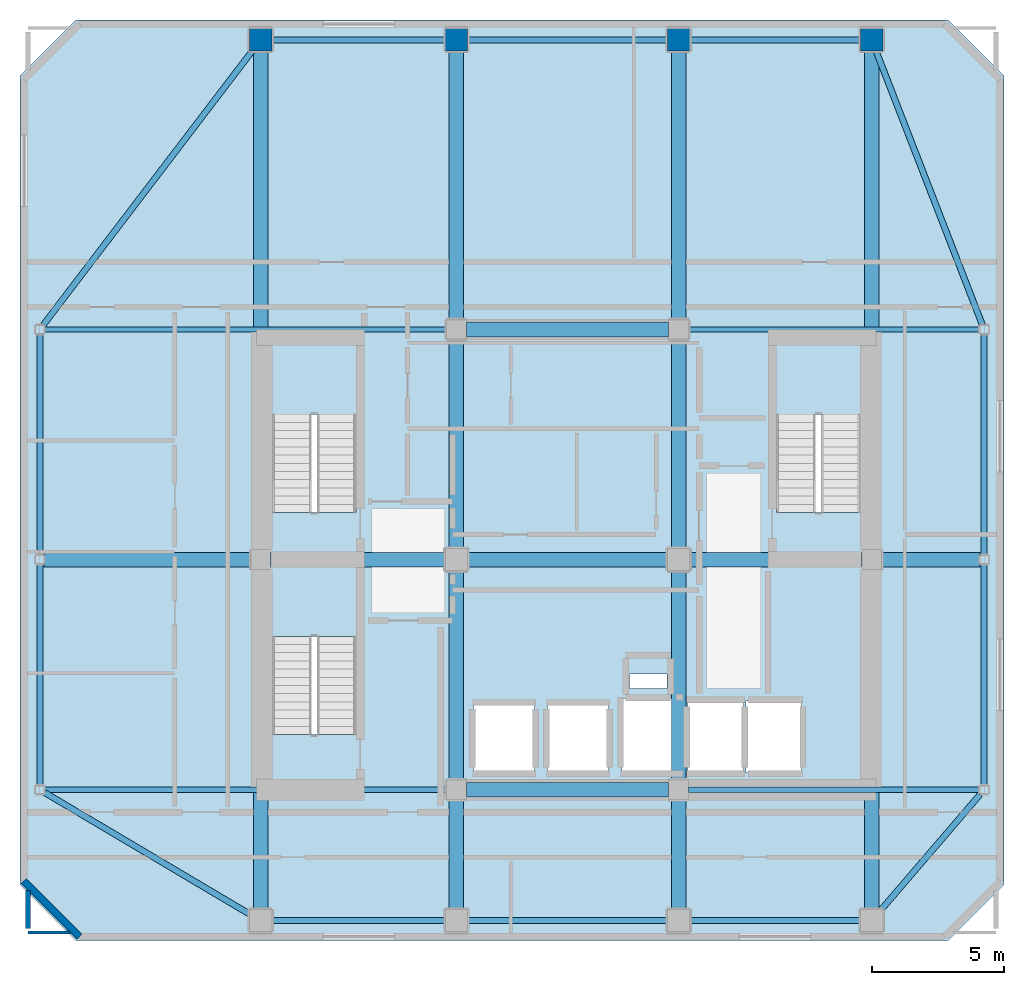
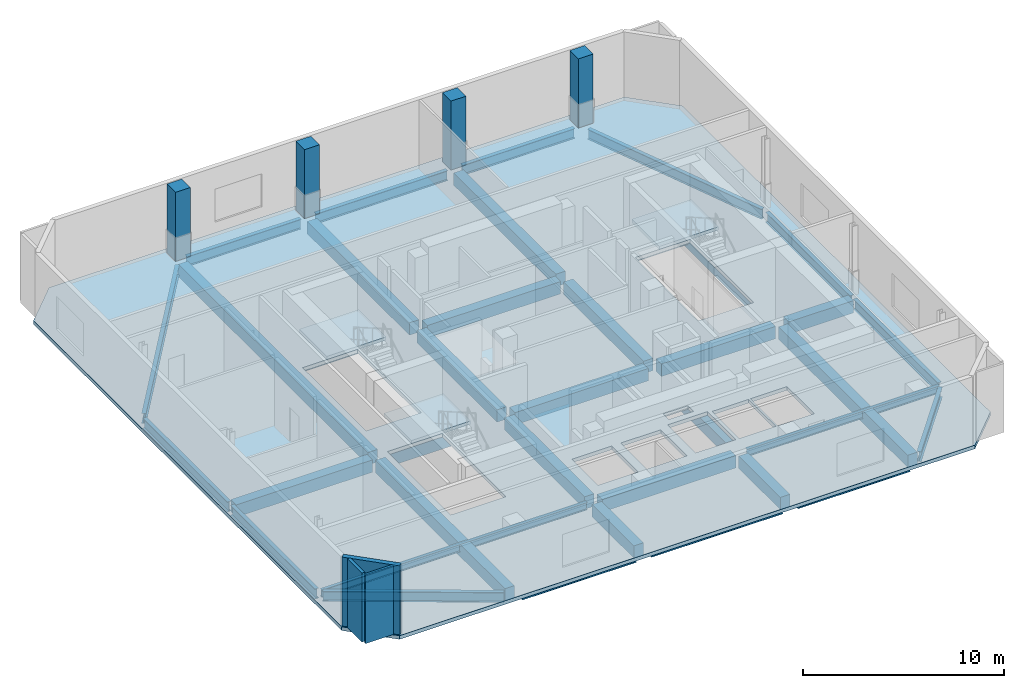
# One storey, part 3 of 9: 37 beams, 4 columns, 4 slabs, 3 walls, 3 elements without a shape of their own.
"""IFC4 building model written with IfcOpenShell, lengths in metres."""

from ifc_helpers import new_model, si_unit, direction, frame, frame_2d, origin, origin_2d, place, context, subcontext, project, spatial, polyline, rectangle, i_section, outline, extrude, material, layer, layer_set, material_profile, profile_set, type_object, element, aggregate, save


model = new_model("IFC4")

# Units and contexts
model_context = context("Model", 3, precision=1e-05, world=origin(), true_north=direction((0.0, 1.0)))
body_context = subcontext(model_context, "Body", "Model", "MODEL_VIEW")
ifc_project = project(units=[si_unit("LENGTHUNIT", "METRE"), si_unit("AREAUNIT", "SQUARE_METRE"), si_unit("VOLUMEUNIT", "CUBIC_METRE"), si_unit("PLANEANGLEUNIT", "RADIAN"), si_unit("MASSUNIT", "GRAM", prefix="KILO")], contexts=[model_context])

# Site, building, storey
site_placement = place(None, origin())
site = spatial("IfcSite", under=ifc_project, at=site_placement, CompositionType="ELEMENT")
building_placement = place(site_placement, origin())
building = spatial("IfcBuilding", under=site, at=building_placement, Name="Solanera Arch Residences", CompositionType="ELEMENT")
storey_placement = place(building_placement, frame((0.0, 0.0, 273.47998046875)))
storey = spatial("IfcBuildingStorey", under=building, at=storey_placement, Name="L79", CompositionType="ELEMENT", Elevation=273.47998046875)

# Columns
ifc_material_1 = material(Name="Concrete C40/50 (f'c = 45 MPa)", Category="concrete")
ifc_material_profile_1 = material_profile(ifc_material_1, rectangle(XDim=0.85009765625, YDim=0.85009765625, at=origin_2d()))
ifc_profile_set_1 = profile_set([ifc_material_profile_1], Name="Concrete C40/50 (f'c = 45 MPa)")
column_type = type_object("IfcColumnType", Name="Structural Column RC-COL-850X850", PredefinedType="COLUMN", material=ifc_profile_set_1)
for number, where, z_axis, x_axis, name in (
    (1, (13.39990234375, 50.35009765625, 0.0), (0.0, 0.0, 1.0), (1.0, 0.0, 0.0), "COL-L79-TWR-02"),
    (2, (20.800048828125, 50.35009765625, 0.0), (0.0, 0.0, 1.0), (1.0, 0.0, 0.0), "COL-L79-TWR-04"),
    (3, (29.199951171875, 50.35009765625, 0.0), (0.0, 0.0, 1.0), (1.0, 0.0, 0.0), "COL-L79-TWR-06"),
    (4, (36.5, 50.35009765625, 0.0), (0.0, 0.0, 1.0), (1.0, 0.0, 0.0), "COL-L79-TWR-08"),
):
    element("IfcColumn", number, at=place(storey_placement, frame(where, z_axis=z_axis, x_axis=x_axis)), inside=storey, type_object=column_type, Name=name, PredefinedType="COLUMN", context=body_context, shape_type="SweptSolid", body=[
        extrude(rectangle(XDim=0.85009765625, YDim=0.85009765625, at=origin_2d()), origin(), (0.0, 0.0, 1.0), 4.179931640625),
    ])

# Beams
ifc_material_2 = material(Name="Concrete C40/50 (f'c = 45 MPa)", Category="concrete")
ifc_material_profile_2 = material_profile(ifc_material_2, rectangle(XDim=0.550048828125, YDim=0.75, at=origin_2d()))
ifc_profile_set_2 = profile_set([ifc_material_profile_2], Name="Concrete C40/50 (f'c = 45 MPa)")
beam_type_1 = type_object("IfcBeamType", Name="Primary Beam RC-BM-550X750", PredefinedType="BEAM", material=ifc_profile_set_2)
beam_1_placement = place(storey_placement, frame((20.800048828125, 22.37890625, -0.594970703125), z_axis=(0.0, 1.0, 0.0), x_axis=(-1.0, 0.0, 0.0)))
element("IfcBeam", 5, at=beam_1_placement, inside=storey, type_object=beam_type_1, Name="BM-L79-CC-S-208", PredefinedType="BEAM", context=body_context, shape_type="SweptSolid", body=[
    extrude(rectangle(XDim=0.550048828125, YDim=0.75, at=origin_2d()), origin(), (0.0, 0.0, 1.0), 7.942138671875),
])
beam_2_placement = place(storey_placement, frame((20.800048828125, 31.0791015625, -0.594970703125), z_axis=(0.0, 1.0, 0.0), x_axis=(-1.0, 0.0, 0.0)))
element("IfcBeam", 6, at=beam_2_placement, inside=storey, type_object=beam_type_1, Name="BM-L79-CC-N-208", PredefinedType="BEAM", context=body_context, shape_type="SweptSolid", body=[
    extrude(rectangle(XDim=0.550048828125, YDim=0.75, at=origin_2d()), origin(), (0.0, 0.0, 1.0), 7.94189453125),
])
beam_3_placement = place(storey_placement, frame((29.199951171875, 22.37890625, -0.594970703125), z_axis=(0.0, 1.0, 0.0), x_axis=(-1.0, 0.0, 0.0)))
element("IfcBeam", 7, at=beam_3_placement, inside=storey, type_object=beam_type_1, Name="BM-L79-CC-S-292", PredefinedType="BEAM", context=body_context, shape_type="SweptSolid", body=[
    extrude(rectangle(XDim=0.550048828125, YDim=0.75, at=origin_2d()), origin(), (0.0, 0.0, 1.0), 7.942138671875),
])
beam_4_placement = place(storey_placement, frame((29.199951171875, 31.0791015625, -0.594970703125), z_axis=(0.0, 1.0, 0.0), x_axis=(-1.0, 0.0, 0.0)))
element("IfcBeam", 8, at=beam_4_placement, inside=storey, type_object=beam_type_1, Name="BM-L79-CC-N-292", PredefinedType="BEAM", context=body_context, shape_type="SweptSolid", body=[
    extrude(rectangle(XDim=0.550048828125, YDim=0.75, at=origin_2d()), origin(), (0.0, 0.0, 1.0), 7.94189453125),
])
for number, where, z_axis, x_axis, name in (
    (9, (21.178955078125, 22.0, -0.594970703125), (1.0, 0.0, 0.0), (0.0, 1.0, 0.0), "BM-L79-CC-M-220"),
    (10, (21.178955078125, 30.699951171875, -0.594970703125), (1.0, 0.0, 0.0), (0.0, 1.0, 0.0), "BM-L79-CC-M-307"),
    (11, (21.178955078125, 39.39990234375, -0.594970703125), (1.0, 0.0, 0.0), (0.0, 1.0, 0.0), "BM-L79-CC-M-394"),
):
    element("IfcBeam", number, at=place(storey_placement, frame(where, z_axis=z_axis, x_axis=x_axis)), inside=storey, type_object=beam_type_1, Name=name, PredefinedType="BEAM", context=body_context, shape_type="SweptSolid", body=[
        extrude(rectangle(XDim=0.550048828125, YDim=0.75, at=origin_2d()), origin(), (0.0, 0.0, 1.0), 7.64208984375),
    ])
beam_5_placement = place(storey_placement, frame((13.779052734375, 30.699951171875, -0.594970703125), z_axis=(1.0, 0.0, 0.0), x_axis=(0.0, 1.0, 0.0)))
element("IfcBeam", 12, at=beam_5_placement, inside=storey, type_object=beam_type_1, Name="BM-L79-CC-W", PredefinedType="BEAM", context=body_context, shape_type="SweptSolid", body=[
    extrude(rectangle(XDim=0.550048828125, YDim=0.75, at=origin_2d()), origin(), (0.0, 0.0, 1.0), 6.641845703125),
])
beam_6_placement = place(storey_placement, frame((29.5791015625, 30.699951171875, -0.594970703125), z_axis=(1.0, 0.0, 0.0), x_axis=(0.0, 1.0, 0.0)))
element("IfcBeam", 13, at=beam_6_placement, inside=storey, type_object=beam_type_1, Name="BM-L79-CC-E", PredefinedType="BEAM", context=body_context, shape_type="SweptSolid", body=[
    extrude(rectangle(XDim=0.550048828125, YDim=0.75, at=origin_2d()), origin(), (0.0, 0.0, 1.0), 6.5419921875),
])
beam_7_placement = place(storey_placement, frame((20.800048828125, 17.47900390625, -0.594970703125), z_axis=(0.0, 1.0, 0.0), x_axis=(-1.0, 0.0, 0.0)))
element("IfcBeam", 14, at=beam_7_placement, inside=storey, type_object=beam_type_1, Name="BM-L79-RAD-S-208", PredefinedType="BEAM", context=body_context, shape_type="SweptSolid", body=[
    extrude(rectangle(XDim=0.550048828125, YDim=0.75, at=origin_2d()), origin(), (0.0, 0.0, 1.0), 4.14208984375),
])
beam_8_placement = place(storey_placement, frame((20.800048828125, 39.779052734375, -0.594970703125), z_axis=(0.0, 1.0, 0.0), x_axis=(-1.0, 0.0, 0.0)))
element("IfcBeam", 15, at=beam_8_placement, inside=storey, type_object=beam_type_1, Name="BM-L79-RAD-N-208", PredefinedType="BEAM", context=body_context, shape_type="SweptSolid", body=[
    extrude(rectangle(XDim=0.550048828125, YDim=0.75, at=origin_2d()), origin(), (0.0, 0.0, 1.0), 10.141845703125),
])
beam_9_placement = place(storey_placement, frame((29.199951171875, 17.47900390625, -0.594970703125), z_axis=(0.0, 1.0, 0.0), x_axis=(-1.0, 0.0, 0.0)))
element("IfcBeam", 16, at=beam_9_placement, inside=storey, type_object=beam_type_1, Name="BM-L79-RAD-S-292", PredefinedType="BEAM", context=body_context, shape_type="SweptSolid", body=[
    extrude(rectangle(XDim=0.550048828125, YDim=0.75, at=origin_2d()), origin(), (0.0, 0.0, 1.0), 4.14208984375),
])
beam_10_placement = place(storey_placement, frame((29.199951171875, 39.779052734375, -0.594970703125), z_axis=(0.0, 1.0, 0.0), x_axis=(-1.0, 0.0, 0.0)))
element("IfcBeam", 17, at=beam_10_placement, inside=storey, type_object=beam_type_1, Name="BM-L79-RAD-N-292", PredefinedType="BEAM", context=body_context, shape_type="SweptSolid", body=[
    extrude(rectangle(XDim=0.550048828125, YDim=0.75, at=origin_2d()), origin(), (0.0, 0.0, 1.0), 10.141845703125),
])
beam_11_placement = place(storey_placement, frame((13.39990234375, 17.47900390625, -0.594970703125), z_axis=(0.0, 1.0, 0.0), x_axis=(-1.0, 0.0, 0.0)))
element("IfcBeam", 18, at=beam_11_placement, inside=storey, type_object=beam_type_1, Name="BM-L79-RAD-OS-134", PredefinedType="BEAM", context=body_context, shape_type="SweptSolid", body=[
    extrude(rectangle(XDim=0.550048828125, YDim=0.75, at=origin_2d()), origin(), (0.0, 0.0, 1.0), 12.842041015625),
])
beam_12_placement = place(storey_placement, frame((13.39990234375, 31.0791015625, -0.594970703125), z_axis=(0.0, 1.0, 0.0), x_axis=(-1.0, 0.0, 0.0)))
element("IfcBeam", 19, at=beam_12_placement, inside=storey, type_object=beam_type_1, Name="BM-L79-RAD-ON-134", PredefinedType="BEAM", context=body_context, shape_type="SweptSolid", body=[
    extrude(rectangle(XDim=0.550048828125, YDim=0.75, at=origin_2d()), origin(), (0.0, 0.0, 1.0), 18.841796875),
])
beam_13_placement = place(storey_placement, frame((36.5, 17.47900390625, -0.594970703125), z_axis=(0.0, 1.0, 0.0), x_axis=(-1.0, 0.0, 0.0)))
element("IfcBeam", 20, at=beam_13_placement, inside=storey, type_object=beam_type_1, Name="BM-L79-RAD-OS-365", PredefinedType="BEAM", context=body_context, shape_type="SweptSolid", body=[
    extrude(rectangle(XDim=0.550048828125, YDim=0.75, at=origin_2d()), origin(), (0.0, 0.0, 1.0), 12.842041015625),
])
beam_14_placement = place(storey_placement, frame((36.5, 31.0791015625, -0.594970703125), z_axis=(0.0, 1.0, 0.0), x_axis=(-1.0, 0.0, 0.0)))
element("IfcBeam", 21, at=beam_14_placement, inside=storey, type_object=beam_type_1, Name="BM-L79-RAD-ON-365", PredefinedType="BEAM", context=body_context, shape_type="SweptSolid", body=[
    extrude(rectangle(XDim=0.550048828125, YDim=0.75, at=origin_2d()), origin(), (0.0, 0.0, 1.0), 18.841796875),
])
beam_15_placement = place(storey_placement, frame((5.2060546875, 30.699951171875, -0.594970703125), z_axis=(1.0, 0.0, 0.0), x_axis=(0.0, 1.0, 0.0)))
element("IfcBeam", 22, at=beam_15_placement, inside=storey, type_object=beam_type_1, Name="BM-L79-RAD-MW", PredefinedType="BEAM", context=body_context, shape_type="SweptSolid", body=[
    extrude(rectangle(XDim=0.550048828125, YDim=0.75, at=origin_2d()), origin(), (0.0, 0.0, 1.0), 7.81494140625),
])
beam_16_placement = place(storey_placement, frame((36.87890625, 30.699951171875, -0.594970703125), z_axis=(1.0, 0.0, 0.0), x_axis=(0.0, 1.0, 0.0)))
element("IfcBeam", 23, at=beam_16_placement, inside=storey, type_object=beam_type_1, Name="BM-L79-RAD-ME", PredefinedType="BEAM", context=body_context, shape_type="SweptSolid", body=[
    extrude(rectangle(XDim=0.550048828125, YDim=0.75, at=origin_2d()), origin(), (0.0, 0.0, 1.0), 3.715087890625),
])
ifc_material_3 = material(Name="Steel S355 (ASTM A992 / A572 Grade 50)", Category="steel")
ifc_material_profile_3 = material_profile(ifc_material_3, i_section(OverallWidth=0.19091796875, OverallDepth=0.4599609375, WebThickness=0.010009765625, FlangeThickness=0.01611328125, at=origin_2d()))
ifc_profile_set_3 = profile_set([ifc_material_profile_3], Name="Steel S355 (ASTM A992 / A572 Grade 50)")
beam_type_2 = type_object("IfcBeamType", Name="Secondary Joist W460X82", PredefinedType="JOIST", material=ifc_profile_set_3)
beam_17_placement = place(storey_placement, frame((5.2060546875, 22.0, -0.449951171875), z_axis=(1.0, 0.0, 0.0), x_axis=(0.0, 1.0, 0.0)))
element("IfcBeam", 24, at=beam_17_placement, inside=storey, type_object=beam_type_2, Name="BM-L79-RAD-W-220", PredefinedType="JOIST", context=body_context, shape_type="SweptSolid", body=[
    extrude(i_section(OverallWidth=0.19091796875, OverallDepth=0.4599609375, WebThickness=0.010009765625, FlangeThickness=0.01611328125, at=origin_2d()), origin(), (0.0, 0.0, 1.0), 15.21484375),
])
beam_18_placement = place(storey_placement, frame((29.5791015625, 22.0, -0.449951171875), z_axis=(1.0, 0.0, 0.0), x_axis=(0.0, 1.0, 0.0)))
element("IfcBeam", 25, at=beam_18_placement, inside=storey, type_object=beam_type_2, Name="BM-L79-RAD-E-220", PredefinedType="JOIST", context=body_context, shape_type="SweptSolid", body=[
    extrude(i_section(OverallWidth=0.19091796875, OverallDepth=0.4599609375, WebThickness=0.010009765625, FlangeThickness=0.01611328125, at=origin_2d()), origin(), (0.0, 0.0, 1.0), 11.014892578125),
])
beam_19_placement = place(storey_placement, frame((5.2060546875, 39.39990234375, -0.449951171875), z_axis=(1.0, 0.0, 0.0), x_axis=(0.0, 1.0, 0.0)))
element("IfcBeam", 26, at=beam_19_placement, inside=storey, type_object=beam_type_2, Name="BM-L79-RAD-W-394", PredefinedType="JOIST", context=body_context, shape_type="SweptSolid", body=[
    extrude(i_section(OverallWidth=0.19091796875, OverallDepth=0.4599609375, WebThickness=0.010009765625, FlangeThickness=0.01611328125, at=origin_2d()), origin(), (0.0, 0.0, 1.0), 15.21484375),
])
beam_20_placement = place(storey_placement, frame((29.5791015625, 39.39990234375, -0.449951171875), z_axis=(1.0, 0.0, 0.0), x_axis=(0.0, 1.0, 0.0)))
element("IfcBeam", 27, at=beam_20_placement, inside=storey, type_object=beam_type_2, Name="BM-L79-RAD-E-394", PredefinedType="JOIST", context=body_context, shape_type="SweptSolid", body=[
    extrude(i_section(OverallWidth=0.19091796875, OverallDepth=0.4599609375, WebThickness=0.010009765625, FlangeThickness=0.01611328125, at=origin_2d()), origin(), (0.0, 0.0, 1.0), 11.014892578125),
])
ifc_material_4 = material(Name="Steel S355 (ASTM A992 / A572 Grade 50)", Category="steel")
ifc_material_profile_4 = material_profile(ifc_material_4, i_section(OverallWidth=0.22802734375, OverallDepth=0.60791015625, WebThickness=0.01123046875, FlangeThickness=0.017333984375, at=origin_2d()))
ifc_profile_set_4 = profile_set([ifc_material_profile_4], Name="Steel S355 (ASTM A992 / A572 Grade 50)")
beam_type_3 = type_object("IfcBeamType", Name="Spandrel Beam W610X113", PredefinedType="SPANDREL", material=ifc_profile_set_4)
for number, where, z_axis, x_axis, name in (
    (28, (13.8291015625, 17.050048828125, -0.52392578125), (1.0, 0.0, 0.0), (0.0, 1.0, 0.0), "BM-L79-SPN-S-1"),
    (29, (13.8291015625, 50.35009765625, -0.52392578125), (1.0, 0.0, 0.0), (0.0, 1.0, 0.0), "BM-L79-SPN-N-1"),
):
    element("IfcBeam", number, at=place(storey_placement, frame(where, z_axis=z_axis, x_axis=x_axis)), inside=storey, type_object=beam_type_3, Name=name, PredefinedType="SPANDREL", context=body_context, shape_type="SweptSolid", body=[
        extrude(i_section(OverallWidth=0.22802734375, OverallDepth=0.60791015625, WebThickness=0.01123046875, FlangeThickness=0.017333984375, at=origin_2d()), origin(), (0.0, 0.0, 1.0), 6.5419921875),
    ])
for number, where, z_axis, x_axis, name in (
    (30, (21.22900390625, 17.050048828125, -0.52392578125), (1.0, 0.0, 0.0), (0.0, 1.0, 0.0), "BM-L79-SPN-S-2"),
    (31, (21.22900390625, 50.35009765625, -0.52392578125), (1.0, 0.0, 0.0), (0.0, 1.0, 0.0), "BM-L79-SPN-N-2"),
):
    element("IfcBeam", number, at=place(storey_placement, frame(where, z_axis=z_axis, x_axis=x_axis)), inside=storey, type_object=beam_type_3, Name=name, PredefinedType="SPANDREL", context=body_context, shape_type="SweptSolid", body=[
        extrude(i_section(OverallWidth=0.22802734375, OverallDepth=0.60791015625, WebThickness=0.01123046875, FlangeThickness=0.017333984375, at=origin_2d()), origin(), (0.0, 0.0, 1.0), 7.5419921875),
    ])
for number, where, z_axis, x_axis, name in (
    (32, (29.62890625, 17.050048828125, -0.52392578125), (1.0, 0.0, 0.0), (0.0, 1.0, 0.0), "BM-L79-SPN-S-3"),
    (33, (29.62890625, 50.35009765625, -0.52392578125), (1.0, 0.0, 0.0), (0.0, 1.0, 0.0), "BM-L79-SPN-N-3"),
):
    element("IfcBeam", number, at=place(storey_placement, frame(where, z_axis=z_axis, x_axis=x_axis)), inside=storey, type_object=beam_type_3, Name=name, PredefinedType="SPANDREL", context=body_context, shape_type="SweptSolid", body=[
        extrude(i_section(OverallWidth=0.22802734375, OverallDepth=0.60791015625, WebThickness=0.01123046875, FlangeThickness=0.017333984375, at=origin_2d()), origin(), (0.0, 0.0, 1.0), 6.442138671875),
    ])
for number, where, z_axis, x_axis, name in (
    (34, (5.050048828125, 22.156005859375, -0.52392578125), (0.0, 1.0, 0.0), (-1.0, 0.0, 0.0), "BM-L79-SPN-W-1"),
    (35, (40.75, 22.156005859375, -0.52392578125), (0.0, 1.0, 0.0), (-1.0, 0.0, 0.0), "BM-L79-SPN-E-1"),
    (36, (5.050048828125, 30.85595703125, -0.52392578125), (0.0, 1.0, 0.0), (-1.0, 0.0, 0.0), "BM-L79-SPN-W-2"),
    (37, (40.75, 30.85595703125, -0.52392578125), (0.0, 1.0, 0.0), (-1.0, 0.0, 0.0), "BM-L79-SPN-E-2"),
):
    element("IfcBeam", number, at=place(storey_placement, frame(where, z_axis=z_axis, x_axis=x_axis)), inside=storey, type_object=beam_type_3, Name=name, PredefinedType="SPANDREL", context=body_context, shape_type="SweptSolid", body=[
        extrude(i_section(OverallWidth=0.22802734375, OverallDepth=0.60791015625, WebThickness=0.01123046875, FlangeThickness=0.017333984375, at=origin_2d()), origin(), (0.0, 0.0, 1.0), 8.387939453125),
    ])
beam_21_placement = place(storey_placement, frame((12.971923828125, 17.303955078125, -0.52392578125), z_axis=(-0.860191457369, 0.509971231217, 0.0), x_axis=(-0.509971231217, -0.860191457369, 0.0)))
element("IfcBeam", 38, at=beam_21_placement, inside=storey, type_object=beam_type_3, Name="BM-L79-SPN-SW", PredefinedType="SPANDREL", context=body_context, shape_type="SweptSolid", body=[
    extrude(i_section(OverallWidth=0.22802734375, OverallDepth=0.60791015625, WebThickness=0.01123046875, FlangeThickness=0.017333984375, at=origin_2d()), origin(), (0.0, 0.0, 1.0), 8.996826171875),
])
beam_22_placement = place(storey_placement, frame((13.072998046875, 49.922119140625, -0.52392578125), z_axis=(-0.606365068296, -0.795186395728, 0.0), x_axis=(0.795186395728, -0.606365068296, 0.0)))
element("IfcBeam", 39, at=beam_22_placement, inside=storey, type_object=beam_type_3, Name="BM-L79-SPN-NW", PredefinedType="SPANDREL", context=body_context, shape_type="SweptSolid", body=[
    extrude(i_section(OverallWidth=0.22802734375, OverallDepth=0.60791015625, WebThickness=0.01123046875, FlangeThickness=0.017333984375, at=origin_2d()), origin(), (0.0, 0.0, 1.0), 13.002197265625),
])
beam_23_placement = place(storey_placement, frame((36.867919921875, 17.47802734375, -0.52392578125), z_axis=(0.651311358085, 0.758810592197, 0.0), x_axis=(-0.758810592197, 0.651311358085, 0.0)))
element("IfcBeam", 40, at=beam_23_placement, inside=storey, type_object=beam_type_3, Name="BM-L79-SPN-SE", PredefinedType="SPANDREL", context=body_context, shape_type="SweptSolid", body=[
    extrude(i_section(OverallWidth=0.22802734375, OverallDepth=0.60791015625, WebThickness=0.01123046875, FlangeThickness=0.017333984375, at=origin_2d()), origin(), (0.0, 0.0, 1.0), 5.720947265625),
])
beam_24_placement = place(storey_placement, frame((36.666015625, 49.9208984375, -0.52392578125), z_axis=(0.361865837168, -0.932230183962, 0.0), x_axis=(0.932230183962, 0.361865837168, 0.0)))
element("IfcBeam", 41, at=beam_24_placement, inside=storey, type_object=beam_type_3, Name="BM-L79-SPN-NE", PredefinedType="SPANDREL", context=body_context, shape_type="SweptSolid", body=[
    extrude(i_section(OverallWidth=0.22802734375, OverallDepth=0.60791015625, WebThickness=0.01123046875, FlangeThickness=0.017333984375, at=origin_2d()), origin(), (0.0, 0.0, 1.0), 11.084228515625),
])

# Stair, slab
ifc_material_5 = material(Name="Concrete C40/50 (f'c = 45 MPa)", Category="concrete")
stair_type = type_object("IfcStairType", Name="Tower Dogleg Exit Stair 1480", PredefinedType="HALF_TURN_STAIR", material=ifc_material_5)
stair_1_placement = place(storey_placement, origin())
stair_1 = element("IfcStair", 42, at=stair_1_placement, inside=storey, type_object=stair_type, Name="L79 Tower Core Exit Stair 1", PredefinedType="HALF_TURN_STAIR")
ifc_material_6 = material(Name="Concrete C40/50 (f'c = 45 MPa)", Category="concrete")
ifc_layer_1 = layer(ifc_material_6, 0.199951171875)
ifc_layer_set_1 = layer_set([ifc_layer_1], Name="Concrete C40/50 (f'c = 45 MPa)")
slab_type_1 = type_object("IfcSlabType", Name="Stair Half-Landing Slab 200", PredefinedType="LANDING", material=ifc_layer_set_1)
slab_1_placement = place(storey_placement, frame((0.0, 0.0, 2.10009765625)))
slab_1 = element("IfcSlab", 43, at=slab_1_placement, type_object=slab_type_1, Name="ST-T1 landing 1", PredefinedType="LANDING", context=body_context, shape_type="SweptSolid", body=[
    extrude(outline(polyline([(17.1201171875, 36.18994140625), (17.1201171875, 38.919921875), (13.719970703125, 38.919921875), (13.719970703125, 36.18994140625), (17.1201171875, 36.18994140625)])), origin(), (0.0, 0.0, 1.0), 0.199951171875),
])
aggregate(stair_1, [slab_1])

stair_2_placement = place(storey_placement, origin())
stair_2 = element("IfcStair", 44, at=stair_2_placement, inside=storey, type_object=stair_type, Name="L79 Tower Core Exit Stair 2", PredefinedType="HALF_TURN_STAIR")
slab_2_placement = place(storey_placement, frame((0.0, 0.0, 2.10009765625)))
slab_2 = element("IfcSlab", 45, at=slab_2_placement, type_object=slab_type_1, Name="ST-T2 landing 1", PredefinedType="LANDING", context=body_context, shape_type="SweptSolid", body=[
    extrude(outline(polyline([(36.179931640625, 36.18994140625), (36.179931640625, 38.919921875), (32.780029296875, 38.919921875), (32.780029296875, 36.18994140625), (36.179931640625, 36.18994140625)])), origin(), (0.0, 0.0, 1.0), 0.199951171875),
])
aggregate(stair_2, [slab_2])

stair_3_placement = place(storey_placement, origin())
stair_3 = element("IfcStair", 46, at=stair_3_placement, inside=storey, type_object=stair_type, Name="L79 Tower Core Exit Stair 3", PredefinedType="HALF_TURN_STAIR")
slab_3_placement = place(storey_placement, frame((0.0, 0.0, 2.10009765625)))
slab_3 = element("IfcSlab", 47, at=slab_3_placement, type_object=slab_type_1, Name="ST-T3 landing 1", PredefinedType="LANDING", context=body_context, shape_type="SweptSolid", body=[
    extrude(outline(polyline([(17.1201171875, 27.7900390625), (17.1201171875, 30.52001953125), (13.719970703125, 30.52001953125), (13.719970703125, 27.7900390625), (17.1201171875, 27.7900390625)])), origin(), (0.0, 0.0, 1.0), 0.199951171875),
])
aggregate(stair_3, [slab_3])

# Slab
ifc_material_7 = material(Name="Concrete C40/50 (f'c = 45 MPa)", Category="concrete")
ifc_layer_2 = layer(ifc_material_7, 0.219970703125)
ifc_layer_set_2 = layer_set([ifc_layer_2], Name="Concrete C40/50 (f'c = 45 MPa)")
slab_type_2 = type_object("IfcSlabType", Name="Suspended Floor Slab Post-Tensioned 220", PredefinedType="FLOOR", material=ifc_layer_set_2)
slab_4_placement = place(storey_placement, frame((0.0, 0.0, -0.219970703125)))
element("IfcSlab", 48, at=slab_4_placement, inside=storey, type_object=slab_type_2, Name="L79 Tower Post-Tensioned Floor Slab", PredefinedType="FLOOR", context=body_context, shape_type="SweptSolid", body=[
    extrude(outline(polyline([(6.39990234375, 16.300048828125), (39.39990234375, 16.300048828125), (41.5, 18.39990234375), (41.5, 49.0), (39.39990234375, 51.10009765625), (6.39990234375, 51.10009765625), (4.300048828125, 49.0), (4.300048828125, 18.39990234375), (6.39990234375, 16.300048828125)]), holes=[polyline([(13.840087890625, 32.48291015625), (13.840087890625, 38.800048828125), (17.0, 38.800048828125), (17.0, 32.48291015625), (13.840087890625, 32.48291015625)]), polyline([(32.89990234375, 32.48291015625), (32.89990234375, 38.800048828125), (36.06005859375, 38.800048828125), (36.06005859375, 32.48291015625), (32.89990234375, 32.48291015625)]), polyline([(13.840087890625, 24.0830078125), (13.840087890625, 30.39990234375), (17.0, 30.39990234375), (17.0, 24.0830078125), (13.840087890625, 24.0830078125)]), polyline([(21.449951171875, 25.25), (23.75, 25.25), (23.75, 22.64990234375), (21.449951171875, 22.64990234375), (21.449951171875, 25.25)]), polyline([(24.25, 25.25), (26.550048828125, 25.25), (26.550048828125, 22.64990234375), (24.25, 22.64990234375), (24.25, 25.25)]), polyline([(29.550048828125, 25.35009765625), (31.64990234375, 25.35009765625), (31.64990234375, 22.64990234375), (29.550048828125, 22.64990234375), (29.550048828125, 25.35009765625)]), polyline([(31.75, 25.35009765625), (33.85009765625, 25.35009765625), (33.85009765625, 22.64990234375), (31.75, 22.64990234375), (31.75, 25.35009765625)]), polyline([(27.050048828125, 25.449951171875), (29.35009765625, 25.449951171875), (29.35009765625, 22.64990234375), (27.050048828125, 22.64990234375), (27.050048828125, 25.449951171875)]), polyline([(27.340087890625, 26.3798828125), (28.760009765625, 26.3798828125), (28.760009765625, 25.820068359375), (27.340087890625, 25.820068359375), (27.340087890625, 26.3798828125)])]), origin(), (0.0, 0.0, 1.0), 0.219970703125),
])

# Walls
ifc_material_8 = material(Name="Autoclaved Aerated Concrete Blockwork", Category="masonry")
ifc_layer_3 = layer(ifc_material_8, 0.179931640625)
ifc_layer_set_3 = layer_set([ifc_layer_3], Name="Autoclaved Aerated Concrete Blockwork")
wall_type_1 = type_object("IfcWallType", Name="Corridor Fire Partition 180", PredefinedType="PARTITIONING", material=ifc_layer_set_3)
wall_1_placement = place(storey_placement, frame((4.60009765625, 16.758056640625, 0.0), z_axis=(0.0, 0.0, 1.0), x_axis=(0.0, 1.0, 0.0)))
element("IfcWall", 49, at=wall_1_placement, inside=storey, type_object=wall_type_1, Name="L79 Interior Partition V6 1", PredefinedType="PARTITIONING", context=body_context, shape_type="SweptSolid", body=[
    extrude(rectangle(XDim=1.430908203125, YDim=0.179931640625, at=frame_2d((0.71533203125, 0.0))), origin(), (0.0, 0.0, 1.0), 4.179931640625),
])
ifc_material_9 = material(Name="Precast Concrete C35/45", Category="concrete")
ifc_layer_4 = layer(ifc_material_9, 0.260009765625)
ifc_layer_set_4 = layer_set([ifc_layer_4], Name="Precast Concrete C35/45")
wall_type_2 = type_object("IfcWallType", Name="Exterior Wall Precast Masonry-Frame 260", PredefinedType="STANDARD", material=ifc_layer_set_4)
wall_2_placement = place(storey_placement, frame((6.544921875, 16.445068359375, 0.0), z_axis=(0.0, 0.0, 1.0), x_axis=(-0.707106781187, 0.707106781187, 0.0)))
element("IfcWall", 50, at=wall_2_placement, inside=storey, type_object=wall_type_2, Name="L79 Tower Exterior Precast Masonry-Frame Wall CH7", PredefinedType="STANDARD", context=body_context, shape_type="SweptSolid", body=[
    extrude(rectangle(XDim=2.9697265625, YDim=0.260009765625, at=frame_2d((1.48486328125, 0.0))), origin(), (0.0, 0.0, 1.0), 4.179931640625),
])
ifc_material_10 = material(Name="Fire-Rated Gypsum Stud Partition", Category="gypsum")
ifc_layer_5 = layer(ifc_material_10, 0.1201171875)
ifc_layer_set_5 = layer_set([ifc_layer_5], Name="Fire-Rated Gypsum Stud Partition")
wall_type_3 = type_object("IfcWallType", Name="Unit Drywall Partition 120", PredefinedType="PARTITIONING", material=ifc_layer_set_5)
wall_3_placement = place(storey_placement, frame((4.60009765625, 16.60009765625, 0.0), z_axis=(0.0, 0.0, 1.0), x_axis=(1.0, 0.0, 0.0)))
element("IfcWall", 51, at=wall_3_placement, inside=storey, type_object=wall_type_3, Name="L79 Interior Partition H17 1", PredefinedType="PARTITIONING", context=body_context, shape_type="SweptSolid", body=[
    extrude(rectangle(XDim=1.5888671875, YDim=0.1201171875, at=frame_2d((0.79443359375, 0.0))), origin(), (0.0, 0.0, 1.0), 4.179931640625),
])

save(model, "model.ifc")
